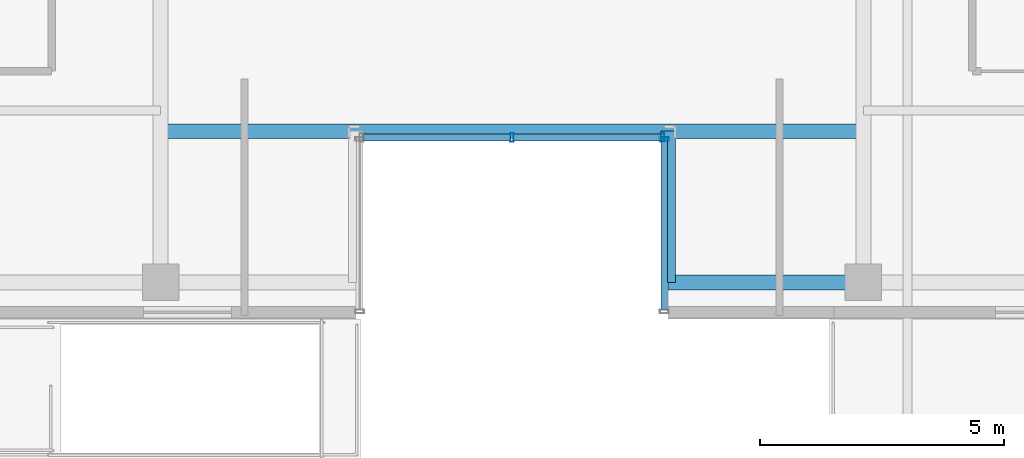
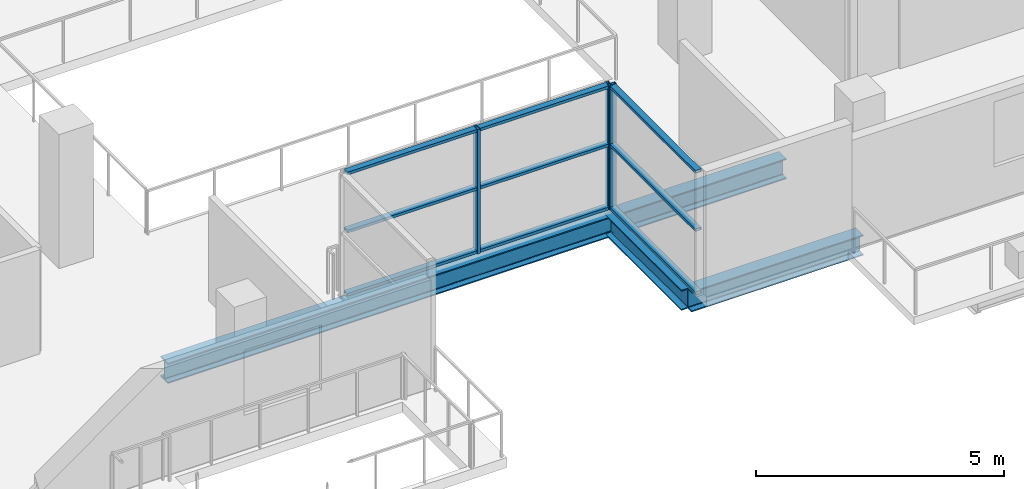
# One storey, part 7 of 23: 12 members, 3 beams, 2 elements without a shape of their own.
"""IFC4 building model written with IfcOpenShell, lengths in metres."""

from ifc_helpers import new_model, si_unit, direction, frame, origin, origin_2d, place, context, subcontext, project, spatial, hollow_rectangle, i_section, extrude, source, transform, mapped, material, layer, layer_set, material_profile, profile_set, type_object, element, aggregate, save


model = new_model("IFC4")

# Units and contexts
model_context = context("Model", 3, precision=1e-05, world=origin(), true_north=direction((0.0, 1.0)))
body_context = subcontext(model_context, "Body", "Model", "MODEL_VIEW")
ifc_project = project(units=[si_unit("LENGTHUNIT", "METRE"), si_unit("AREAUNIT", "SQUARE_METRE"), si_unit("VOLUMEUNIT", "CUBIC_METRE"), si_unit("PLANEANGLEUNIT", "RADIAN"), si_unit("MASSUNIT", "GRAM", prefix="KILO")], contexts=[model_context])

# Site, building, storey
site_placement = place(None, origin())
site = spatial("IfcSite", under=ifc_project, at=site_placement, CompositionType="ELEMENT")
building_placement = place(site_placement, origin())
building = spatial("IfcBuilding", under=site, at=building_placement, Name="Zarnakvel Exchange Tower", CompositionType="ELEMENT")
storey_placement = place(building_placement, frame((0.0, 0.0, 149.5)))
storey = spatial("IfcBuildingStorey", under=building, at=storey_placement, Name="L41", CompositionType="ELEMENT", Elevation=149.5)

# Beams
ifc_material_1 = material(Name="Steel S355", Category="steel")
ifc_material_profile_1 = material_profile(ifc_material_1, i_section(OverallWidth=0.300048828125, OverallDepth=0.5, WebThickness=0.014404296875, FlangeThickness=0.028076171875, FilletRadius=0.027099609375, at=origin_2d()))
ifc_profile_set_1 = profile_set([ifc_material_profile_1], Name="Steel S355")
beam_type_1 = type_object("IfcBeamType", Name="G-06", PredefinedType="BEAM", material=ifc_profile_set_1)
beam_1_placement = place(storey_placement, frame((3.199951171875, -16.64990234375, -0.47509765625), z_axis=(0.0, 1.0, 0.0), x_axis=(-1.0, 0.0, 0.0)))
element("IfcBeam", 1, at=beam_1_placement, inside=storey, type_object=beam_type_1, Name="L41 South Slot East Cheek Beam", PredefinedType="BEAM", context=body_context, shape_type="SweptSolid", body=[
    extrude(i_section(OverallWidth=0.300048828125, OverallDepth=0.5, WebThickness=0.014404296875, FlangeThickness=0.028076171875, FilletRadius=0.027099609375, at=origin_2d()), origin(), (0.0, 0.0, 1.0), 3.099853515625),
])
ifc_material_profile_2 = material_profile(ifc_material_1, i_section(OverallWidth=0.300048828125, OverallDepth=0.5, WebThickness=0.014404296875, FlangeThickness=0.028076171875, FilletRadius=0.027099609375, at=origin_2d()))
ifc_profile_set_2 = profile_set([ifc_material_profile_2], Name="Steel S355")
beam_type_2 = type_object("IfcBeamType", Name="SP-02", PredefinedType="SPANDREL", material=ifc_profile_set_2)
beam_2_placement = place(storey_placement, frame((3.199951171875, -16.64990234375, -0.47509765625), z_axis=(1.0, 0.0, 0.0), x_axis=(0.0, 1.0, 0.0)))
element("IfcBeam", 2, at=beam_2_placement, inside=storey, type_object=beam_type_2, Name="L41 South Slot East Jamb Spandrel", PredefinedType="SPANDREL", context=body_context, shape_type="SweptSolid", body=[
    extrude(i_section(OverallWidth=0.300048828125, OverallDepth=0.5, WebThickness=0.014404296875, FlangeThickness=0.028076171875, FilletRadius=0.027099609375, at=origin_2d()), origin(), (0.0, 0.0, 1.0), 4.0),
])
beam_3_placement = place(storey_placement, frame((-7.199951171875, -13.550048828125, -0.47509765625), z_axis=(1.0, 0.0, 0.0), x_axis=(0.0, 1.0, 0.0)))
element("IfcBeam", 3, at=beam_3_placement, inside=storey, type_object=beam_type_2, Name="L41 South Slot Head Trimmer Girder", PredefinedType="SPANDREL", context=body_context, shape_type="SweptSolid", body=[
    extrude(i_section(OverallWidth=0.300048828125, OverallDepth=0.5, WebThickness=0.014404296875, FlangeThickness=0.028076171875, FilletRadius=0.027099609375, at=origin_2d()), origin(), (0.0, 0.0, 1.0), 14.39990234375),
])

# Curtain wall, members
ifc_material_2 = material(Name="Architectural Bronze Anodised Aluminium", Category="aluminium")
ifc_layer = layer(ifc_material_2, 0.179931640625)
ifc_layer_set = layer_set([ifc_layer], Name="Architectural Bronze Anodised Aluminium")
curtain_wall_type = type_object("IfcCurtainWallType", Name="CW-05", PredefinedType="NOTDEFINED", material=ifc_layer_set)
curtain_wall_1_placement = place(storey_placement, origin())
curtain_wall_1 = element("IfcCurtainWall", 4, at=curtain_wall_1_placement, inside=storey, type_object=curtain_wall_type, Name="L41 Curtain Wall CW-L41-SLE (CW-05)", PredefinedType="NOTDEFINED")
ifc_material_profile_3 = material_profile(ifc_material_2, hollow_rectangle(XDim=0.139892578125, YDim=0.070068359375, WallThickness=0.00390625, at=origin_2d()))
ifc_profile_set_3 = profile_set([ifc_material_profile_3], Name="Architectural Bronze Anodised Aluminium")
member_type_1 = type_object("IfcMemberType", Name="CWT-05", PredefinedType="USERDEFINED", material=ifc_profile_set_3)
shared_shape_1 = source(origin(), body_context, "Body", "SweptSolid", [
    extrude(hollow_rectangle(XDim=0.139892578125, YDim=0.070068359375, WallThickness=0.00390625, at=origin_2d()), origin(), (0.0, 0.0, 1.0), 3.4599609375),
])
member_1_placement = place(storey_placement, frame((3.1201171875, -13.75, 0.034912109375), z_axis=(0.0, -1.0, 0.0), x_axis=(1.0, 0.0, 0.0)))
member_1 = element("IfcMember", 5, at=member_1_placement, type_object=member_type_1, Name="CW-05 transom 1.1", ObjectType="TRANSOM", PredefinedType="USERDEFINED", context=body_context, shape_type="MappedRepresentation", body=[
    mapped(shared_shape_1, transform((0.0, 0.0, 0.0), x_axis=(1.0, 0.0, 0.0), y_axis=(0.0, 1.0, 0.0), z_axis=(0.0, 0.0, 1.0), scale=1.0)),
])
member_2_placement = place(storey_placement, frame((3.1201171875, -13.75, 1.588623046875), z_axis=(0.0, -1.0, 0.0), x_axis=(1.0, 0.0, 0.0)))
member_2 = element("IfcMember", 6, at=member_2_placement, type_object=member_type_1, Name="CW-05 transom 1.2", ObjectType="TRANSOM", PredefinedType="USERDEFINED", context=body_context, shape_type="MappedRepresentation", body=[
    mapped(shared_shape_1, transform((0.0, 0.0, 0.0), x_axis=(1.0, 0.0, 0.0), y_axis=(0.0, 1.0, 0.0), z_axis=(0.0, 0.0, 1.0), scale=1.0)),
])
member_3_placement = place(storey_placement, frame((3.1201171875, -13.75, 3.02001953125), z_axis=(0.0, -1.0, 0.0), x_axis=(1.0, 0.0, 0.0)))
member_3 = element("IfcMember", 7, at=member_3_placement, type_object=member_type_1, Name="CW-05 transom 1.3", ObjectType="TRANSOM", PredefinedType="USERDEFINED", context=body_context, shape_type="MappedRepresentation", body=[
    mapped(shared_shape_1, transform((0.0, 0.0, 0.0), x_axis=(1.0, 0.0, 0.0), y_axis=(0.0, 1.0, 0.0), z_axis=(0.0, 0.0, 1.0), scale=1.0)),
])

curtain_wall_2_placement = place(storey_placement, origin())
curtain_wall_2 = element("IfcCurtainWall", 8, at=curtain_wall_2_placement, inside=storey, type_object=curtain_wall_type, Name="L41 Curtain Wall CW-L41-SLB (CW-05)", PredefinedType="NOTDEFINED")
shared_shape_2 = source(origin(), body_context, "Body", "SweptSolid", [
    extrude(hollow_rectangle(XDim=0.139892578125, YDim=0.070068359375, WallThickness=0.00390625, at=origin_2d()), origin(), (0.0, 0.0, 1.0), 3.01513671875),
])
member_4_placement = place(storey_placement, frame((-3.050048828125, -13.679931640625, 0.034912109375), z_axis=(1.0, 0.0, 0.0), x_axis=(0.0, 1.0, 0.0)))
member_4 = element("IfcMember", 9, at=member_4_placement, type_object=member_type_1, Name="CW-05 transom 1.1", ObjectType="TRANSOM", PredefinedType="USERDEFINED", context=body_context, shape_type="MappedRepresentation", body=[
    mapped(shared_shape_2, transform((0.0, 0.0, 0.0), x_axis=(1.0, 0.0, 0.0), y_axis=(0.0, 1.0, 0.0), z_axis=(0.0, 0.0, 1.0), scale=1.0)),
])
member_5_placement = place(storey_placement, frame((-3.050048828125, -13.679931640625, 1.588623046875), z_axis=(1.0, 0.0, 0.0), x_axis=(0.0, 1.0, 0.0)))
member_5 = element("IfcMember", 10, at=member_5_placement, type_object=member_type_1, Name="CW-05 transom 1.2", ObjectType="TRANSOM", PredefinedType="USERDEFINED", context=body_context, shape_type="MappedRepresentation", body=[
    mapped(shared_shape_2, transform((0.0, 0.0, 0.0), x_axis=(1.0, 0.0, 0.0), y_axis=(0.0, 1.0, 0.0), z_axis=(0.0, 0.0, 1.0), scale=1.0)),
])
member_6_placement = place(storey_placement, frame((-3.050048828125, -13.679931640625, 3.02001953125), z_axis=(1.0, 0.0, 0.0), x_axis=(0.0, 1.0, 0.0)))
member_6 = element("IfcMember", 11, at=member_6_placement, type_object=member_type_1, Name="CW-05 transom 1.3", ObjectType="TRANSOM", PredefinedType="USERDEFINED", context=body_context, shape_type="MappedRepresentation", body=[
    mapped(shared_shape_2, transform((0.0, 0.0, 0.0), x_axis=(1.0, 0.0, 0.0), y_axis=(0.0, 1.0, 0.0), z_axis=(0.0, 0.0, 1.0), scale=1.0)),
])
member_7_placement = place(storey_placement, frame((0.034912109375, -13.679931640625, 0.034912109375), z_axis=(1.0, 0.0, 0.0), x_axis=(0.0, 1.0, 0.0)))
member_7 = element("IfcMember", 12, at=member_7_placement, type_object=member_type_1, Name="CW-05 transom 2.1", ObjectType="TRANSOM", PredefinedType="USERDEFINED", context=body_context, shape_type="MappedRepresentation", body=[
    mapped(shared_shape_2, transform((0.0, 0.0, 0.0), x_axis=(1.0, 0.0, 0.0), y_axis=(0.0, 1.0, 0.0), z_axis=(0.0, 0.0, 1.0), scale=1.0)),
])
member_8_placement = place(storey_placement, frame((0.034912109375, -13.679931640625, 1.588623046875), z_axis=(1.0, 0.0, 0.0), x_axis=(0.0, 1.0, 0.0)))
member_8 = element("IfcMember", 13, at=member_8_placement, type_object=member_type_1, Name="CW-05 transom 2.2", ObjectType="TRANSOM", PredefinedType="USERDEFINED", context=body_context, shape_type="MappedRepresentation", body=[
    mapped(shared_shape_2, transform((0.0, 0.0, 0.0), x_axis=(1.0, 0.0, 0.0), y_axis=(0.0, 1.0, 0.0), z_axis=(0.0, 0.0, 1.0), scale=1.0)),
])
member_9_placement = place(storey_placement, frame((0.034912109375, -13.679931640625, 3.02001953125), z_axis=(1.0, 0.0, 0.0), x_axis=(0.0, 1.0, 0.0)))
member_9 = element("IfcMember", 14, at=member_9_placement, type_object=member_type_1, Name="CW-05 transom 2.3", ObjectType="TRANSOM", PredefinedType="USERDEFINED", context=body_context, shape_type="MappedRepresentation", body=[
    mapped(shared_shape_2, transform((0.0, 0.0, 0.0), x_axis=(1.0, 0.0, 0.0), y_axis=(0.0, 1.0, 0.0), z_axis=(0.0, 0.0, 1.0), scale=1.0)),
])
ifc_material_profile_4 = material_profile(ifc_material_2, hollow_rectangle(XDim=0.179931640625, YDim=0.070068359375, WallThickness=0.00390625, at=origin_2d()))
ifc_profile_set_4 = profile_set([ifc_material_profile_4], Name="Architectural Bronze Anodised Aluminium")
member_type_2 = type_object("IfcMemberType", Name="CWM-05", PredefinedType="MULLION", material=ifc_profile_set_4)
shared_shape_3 = source(origin(), body_context, "Body", "SweptSolid", [
    extrude(hollow_rectangle(XDim=0.179931640625, YDim=0.070068359375, WallThickness=0.00390625, at=origin_2d()), origin(), (0.0, 0.0, 1.0), 3.054931640625),
])
member_10_placement = place(storey_placement, frame((0.0, -13.679931640625, 0.0), z_axis=(0.0, 0.0, 1.0), x_axis=(0.0, 1.0, 0.0)))
member_10 = element("IfcMember", 15, at=member_10_placement, type_object=member_type_2, Name="CW-05 mullion 2", PredefinedType="MULLION", context=body_context, shape_type="MappedRepresentation", body=[
    mapped(shared_shape_3, transform((0.0, 0.0, 0.0), x_axis=(1.0, 0.0, 0.0), y_axis=(0.0, 1.0, 0.0), z_axis=(0.0, 0.0, 1.0), scale=1.0)),
])
member_11_placement = place(storey_placement, frame((3.0849609375, -13.679931640625, 0.0), z_axis=(0.0, 0.0, 1.0), x_axis=(0.0, 1.0, 0.0)))
member_11 = element("IfcMember", 16, at=member_11_placement, type_object=member_type_2, Name="CW-05 mullion 3", PredefinedType="MULLION", context=body_context, shape_type="MappedRepresentation", body=[
    mapped(shared_shape_3, transform((0.0, 0.0, 0.0), x_axis=(1.0, 0.0, 0.0), y_axis=(0.0, 1.0, 0.0), z_axis=(0.0, 0.0, 1.0), scale=1.0)),
])
aggregate(curtain_wall_2, [member_10, member_11, member_4, member_5, member_6, member_7, member_8, member_9])

# Member
member_12_placement = place(storey_placement, frame((3.1201171875, -13.715087890625, 0.0), z_axis=(0.0, 0.0, 1.0), x_axis=(1.0, 0.0, 0.0)))
member_12 = element("IfcMember", 17, at=member_12_placement, type_object=member_type_2, Name="CW-05 mullion 1", PredefinedType="MULLION", context=body_context, shape_type="MappedRepresentation", body=[
    mapped(shared_shape_3, transform((0.0, 0.0, 0.0), x_axis=(1.0, 0.0, 0.0), y_axis=(0.0, 1.0, 0.0), z_axis=(0.0, 0.0, 1.0), scale=1.0)),
])

aggregate(curtain_wall_1, [member_12, member_1, member_2, member_3])

save(model, "model.ifc")
